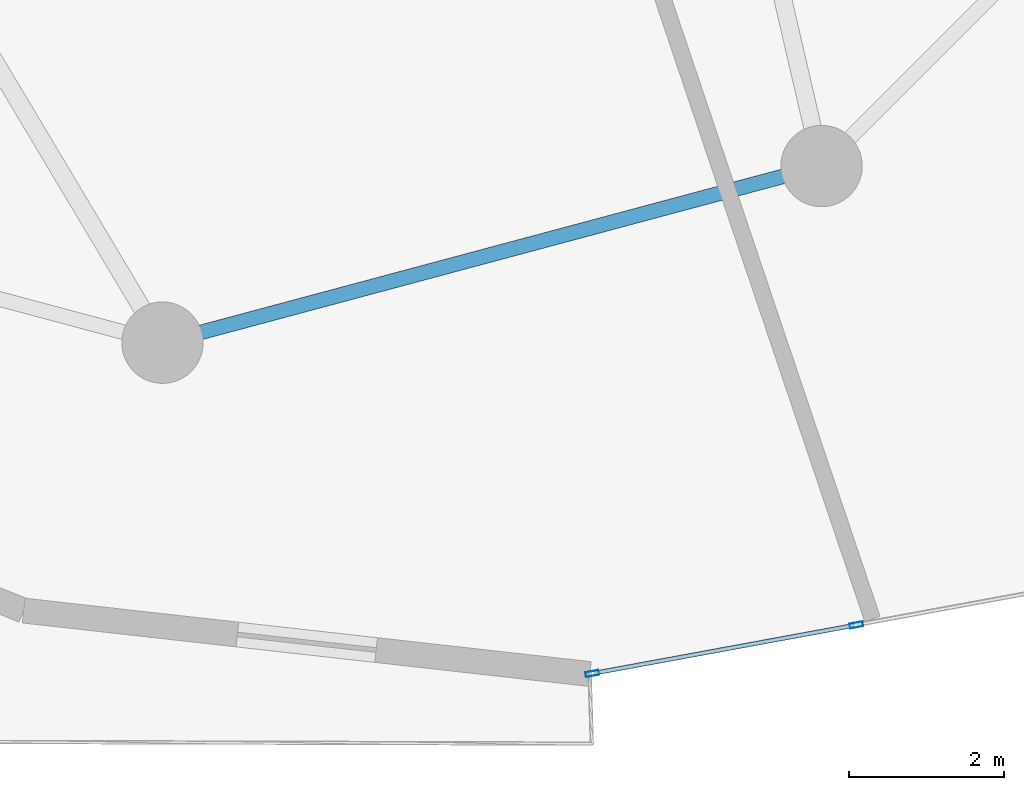
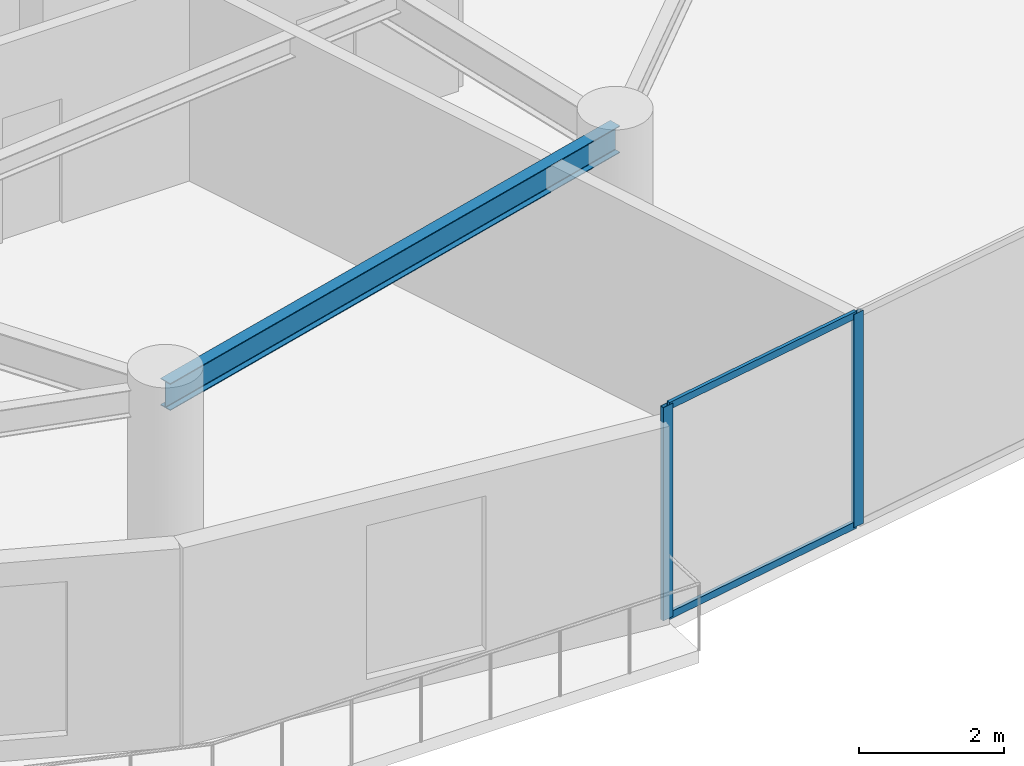
# One storey, part 4 of 25: 4 members, 1 beam, 1 element without a shape of its own.
"""IFC4 building model written with IfcOpenShell, lengths in metres."""

from ifc_helpers import new_model, si_unit, direction, frame, origin, origin_2d, place, context, subcontext, project, spatial, hollow_rectangle, i_section, extrude, source, transform, mapped, material, layer, layer_set, material_profile, profile_set, type_object, element, aggregate, save


model = new_model("IFC4")

# Units and contexts
model_context = context("Model", 3, precision=1e-05, world=origin(), true_north=direction((0.0, 1.0)))
body_context = subcontext(model_context, "Body", "Model", "MODEL_VIEW")
ifc_project = project(units=[si_unit("LENGTHUNIT", "METRE"), si_unit("AREAUNIT", "SQUARE_METRE"), si_unit("VOLUMEUNIT", "CUBIC_METRE"), si_unit("PLANEANGLEUNIT", "RADIAN"), si_unit("MASSUNIT", "GRAM", prefix="KILO")], contexts=[model_context])

# Site, building, storey
site_placement = place(None, origin())
site = spatial("IfcSite", under=ifc_project, at=site_placement, CompositionType="ELEMENT")
building_placement = place(site_placement, origin())
building = spatial("IfcBuilding", under=site, at=building_placement, Name="Solvirekh Grand Hotel", CompositionType="ELEMENT")
storey_placement = place(building_placement, frame((0.0, 0.0, 106.199951171875)))
storey = spatial("IfcBuildingStorey", under=building, at=storey_placement, Name="L26", CompositionType="ELEMENT", Elevation=106.199951171875)

# Beam
ifc_material_1 = material(Name="Steel S355", Category="steel")
ifc_material_profile_1 = material_profile(ifc_material_1, i_section(OverallWidth=0.18994140625, OverallDepth=0.45703125, WebThickness=0.009033203125, FlangeThickness=0.013916015625, FilletRadius=0.012939453125, at=origin_2d()), Name="W460X74")
ifc_profile_set_1 = profile_set([ifc_material_profile_1], Name="Steel S355")
beam_type = type_object("IfcBeamType", Name="Spandrel_Ring_W460", PredefinedType="SPANDREL", material=ifc_profile_set_1)
beam_placement = place(storey_placement, frame((0.0, -17.0, 3.1220703125), z_axis=(0.965911391906, 0.258872908946, 0.0), x_axis=(-0.258872908946, 0.965911391906, 0.0)))
element("IfcBeam", 1, at=beam_placement, inside=storey, type_object=beam_type, Name="L26 perimeter spandrel beam 10", PredefinedType="SPANDREL", context=body_context, shape_type="SweptSolid", body=[
    extrude(i_section(OverallWidth=0.18994140625, OverallDepth=0.45703125, WebThickness=0.009033203125, FlangeThickness=0.013916015625, FilletRadius=0.012939453125, at=origin_2d()), origin(), (0.0, 0.0, 1.0), 8.800048828125),
])

# Curtain wall, members
ifc_material_2 = material(Name="Anodized Bronze Aluminium 6063-T6", Category="aluminium")
ifc_layer = layer(ifc_material_2, 0.175048828125)
ifc_layer_set = layer_set([ifc_layer], Name="Anodized Bronze Aluminium 6063-T6")
curtain_wall_type = type_object("IfcCurtainWallType", Name="CW_Sys3_MidZoneFlushBronzeCW", PredefinedType="NOTDEFINED", material=ifc_layer_set)
curtain_wall_placement = place(storey_placement, origin())
curtain_wall = element("IfcCurtainWall", 2, at=curtain_wall_placement, inside=storey, type_object=curtain_wall_type, Name="L26 unitised bronze-glass curtain wall CW-L26-C18", PredefinedType="NOTDEFINED")
ifc_material_profile_2 = material_profile(ifc_material_2, hollow_rectangle(XDim=0.054931640625, YDim=0.1201171875, WallThickness=0.00390625, at=origin_2d()), Name="ALU RHS 120X55X4")
ifc_profile_set_2 = profile_set([ifc_material_profile_2], Name="Anodized Bronze Aluminium 6063-T6")
member_type_1 = type_object("IfcMemberType", Name="CWTransom_Sys3", PredefinedType="USERDEFINED", material=ifc_profile_set_2)
shared_shape_1 = source(origin(), body_context, "Body", "SweptSolid", [
    extrude(hollow_rectangle(XDim=0.054931640625, YDim=0.1201171875, WallThickness=0.00390625, at=origin_2d()), origin(), (0.0, 0.0, 1.0), 3.397216796875),
])
member_1_placement = place(storey_placement, frame((5.574951171875, -21.26123046875, 0.027587890625), z_axis=(0.983490568923, 0.180959390029, 0.0), x_axis=(-0.180959390029, 0.983490568923, 0.0)))
member_1 = element("IfcMember", 3, at=member_1_placement, type_object=member_type_1, Name="U03 transom 1.1", ObjectType="TRANSOM", PredefinedType="USERDEFINED", context=body_context, shape_type="MappedRepresentation", body=[
    mapped(shared_shape_1, transform((0.0, 0.0, 0.0), x_axis=(1.0, 0.0, 0.0), y_axis=(0.0, 1.0, 0.0), z_axis=(0.0, 0.0, 1.0), scale=1.0)),
])
member_2_placement = place(storey_placement, frame((5.574951171875, -21.26123046875, 3.572509765625), z_axis=(0.983490568923, 0.180959390029, 0.0), x_axis=(-0.180959390029, 0.983490568923, 0.0)))
member_2 = element("IfcMember", 4, at=member_2_placement, type_object=member_type_1, Name="U03 transom 1.2", ObjectType="TRANSOM", PredefinedType="USERDEFINED", context=body_context, shape_type="MappedRepresentation", body=[
    mapped(shared_shape_1, transform((0.0, 0.0, 0.0), x_axis=(1.0, 0.0, 0.0), y_axis=(0.0, 1.0, 0.0), z_axis=(0.0, 0.0, 1.0), scale=1.0)),
])
ifc_material_profile_3 = material_profile(ifc_material_2, hollow_rectangle(XDim=0.06494140625, YDim=0.175048828125, WallThickness=0.0048828125, at=origin_2d()), Name="ALU RHS 175X65X5")
ifc_profile_set_3 = profile_set([ifc_material_profile_3], Name="Anodized Bronze Aluminium 6063-T6")
member_type_2 = type_object("IfcMemberType", Name="CWMullion_Sys3", PredefinedType="MULLION", material=ifc_profile_set_3)
shared_shape_2 = source(origin(), body_context, "Body", "SweptSolid", [
    extrude(hollow_rectangle(XDim=0.06494140625, YDim=0.175048828125, WallThickness=0.0048828125, at=origin_2d()), origin(), (0.0, 0.0, 1.0), 3.60009765625),
])
member_3_placement = place(storey_placement, frame((5.54296875, -21.26708984375, 0.0), z_axis=(0.0, 0.0, 1.0), x_axis=(-0.180987633873, 0.983485371719, 0.0)))
member_3 = element("IfcMember", 5, at=member_3_placement, type_object=member_type_2, Name="U03 mullion 1", PredefinedType="MULLION", context=body_context, shape_type="MappedRepresentation", body=[
    mapped(shared_shape_2, transform((0.0, 0.0, 0.0), x_axis=(1.0, 0.0, 0.0), y_axis=(0.0, 1.0, 0.0), z_axis=(0.0, 0.0, 1.0), scale=1.0)),
])
member_4_placement = place(storey_placement, frame((8.947998046875, -20.640380859375, 0.0), z_axis=(0.0, 0.0, 1.0), x_axis=(-0.180987633873, 0.983485371719, 0.0)))
member_4 = element("IfcMember", 6, at=member_4_placement, type_object=member_type_2, Name="U03 mullion 2", PredefinedType="MULLION", context=body_context, shape_type="MappedRepresentation", body=[
    mapped(shared_shape_2, transform((0.0, 0.0, 0.0), x_axis=(1.0, 0.0, 0.0), y_axis=(0.0, 1.0, 0.0), z_axis=(0.0, 0.0, 1.0), scale=1.0)),
])
aggregate(curtain_wall, [member_3, member_4, member_1, member_2])

save(model, "model.ifc")
